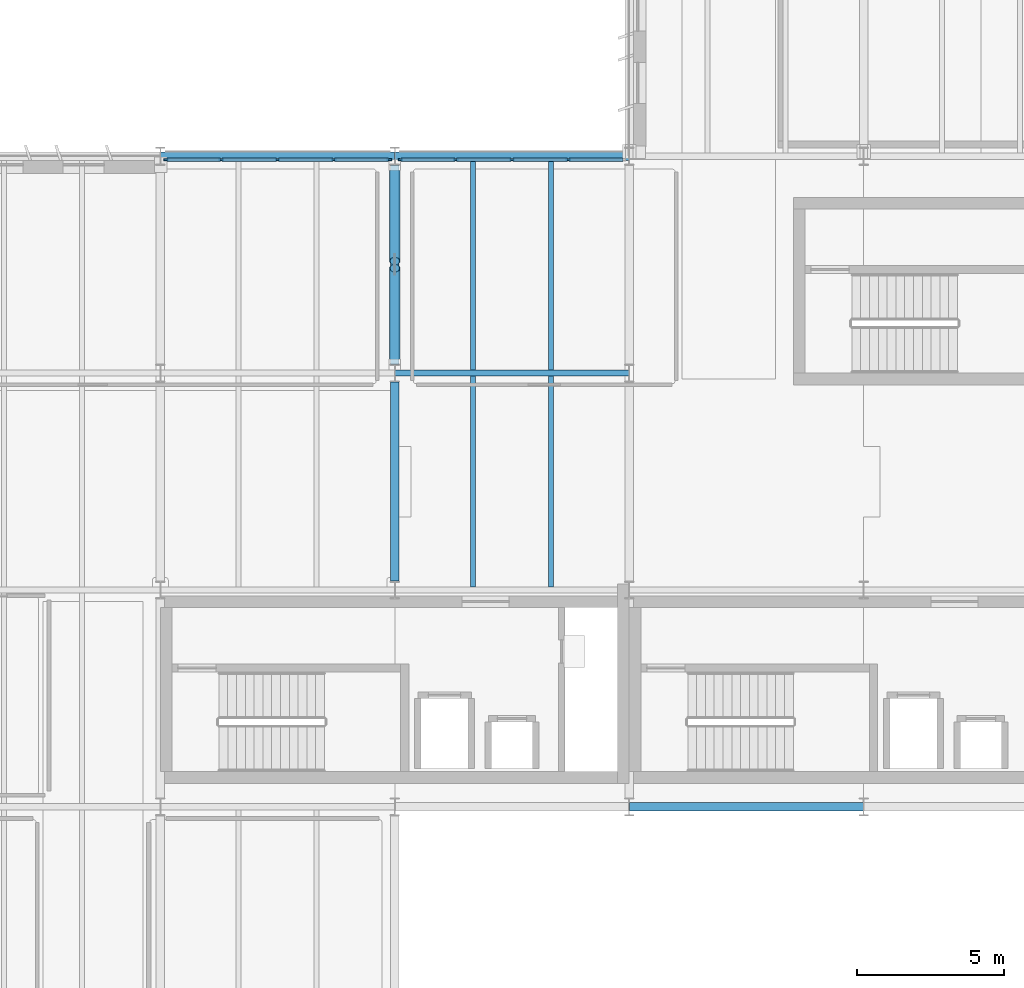
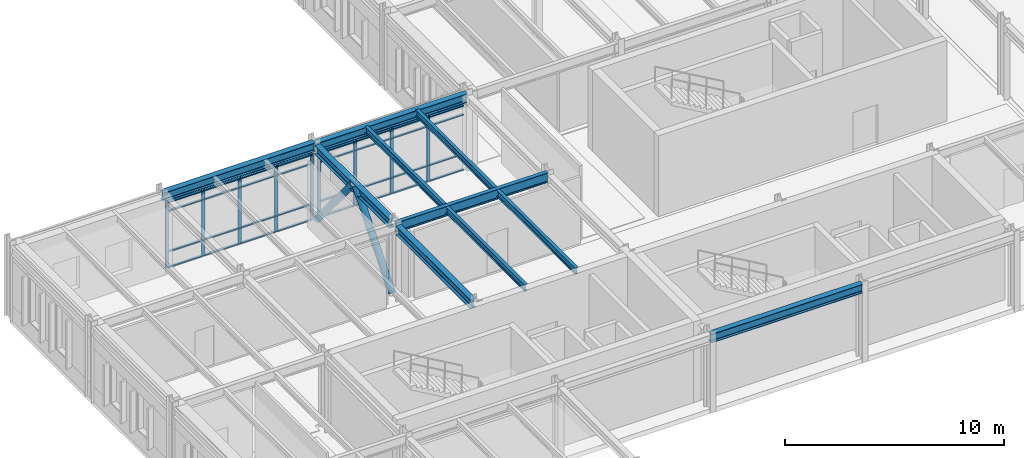
# One storey, part 17 of 75: 43 members, 10 beams, 2 elements without a shape of their own.
"""IFC4 building model written with IfcOpenShell, lengths in metres."""

from ifc_helpers import new_model, si_unit, direction, frame, origin, origin_2d, place, context, subcontext, project, spatial, rectangle, hollow_circle, i_section, extrude, material, layer, layer_set, material_profile, profile_set, type_object, element, aggregate, save


model = new_model("IFC4")

# Units and contexts
model_context = context("Model", 3, precision=1e-05, world=origin(), true_north=direction((0.0, 1.0)))
body_context = subcontext(model_context, "Body", "Model", "MODEL_VIEW")
ifc_project = project(units=[si_unit("LENGTHUNIT", "METRE"), si_unit("AREAUNIT", "SQUARE_METRE"), si_unit("VOLUMEUNIT", "CUBIC_METRE"), si_unit("PLANEANGLEUNIT", "RADIAN"), si_unit("MASSUNIT", "GRAM", prefix="KILO")], contexts=[model_context])

# Site, building, storey
site_placement = place(None, origin())
site = spatial("IfcSite", under=ifc_project, at=site_placement, CompositionType="ELEMENT")
building_placement = place(site_placement, origin())
building = spatial("IfcBuilding", under=site, at=building_placement, Name="Valkorina Park Police Headquarters", CompositionType="ELEMENT")
storey_placement = place(building_placement, frame((0.0, 0.0, 5.39990234375)))
storey = spatial("IfcBuildingStorey", under=building, at=storey_placement, Name="L02", CompositionType="ELEMENT", Elevation=5.39990234375)

# Beams
ifc_material_1 = material(Name="Steel S355", Category="steel")
ifc_material_profile_1 = material_profile(ifc_material_1, i_section(OverallWidth=0.300048828125, OverallDepth=0.489990234375, WebThickness=0.011962890625, FlangeThickness=0.02294921875, FilletRadius=0.027099609375, at=origin_2d()), Name="HEA 500")
ifc_profile_set_1 = profile_set([ifc_material_profile_1], Name="Steel S355")
beam_type_1 = type_object("IfcBeamType", Name="BM-S355-HEA500-BM", PredefinedType="BEAM", material=ifc_profile_set_1)
beam_1_placement = place(storey_placement, frame((24.800048828125, 44.699951171875, 3.9951171875), z_axis=(0.0, 1.0, 0.0), x_axis=(-1.0, 0.0, 0.0)))
element("IfcBeam", 1, at=beam_1_placement, inside=storey, type_object=beam_type_1, Name="L02 Framing Beam 1527", PredefinedType="BEAM", context=body_context, shape_type="SweptSolid", body=[
    extrude(i_section(OverallWidth=0.300048828125, OverallDepth=0.489990234375, WebThickness=0.011962890625, FlangeThickness=0.02294921875, FilletRadius=0.027099609375, at=origin_2d()), origin(), (0.0, 0.0, 1.0), 6.800048828125),
])
beam_2_placement = place(storey_placement, frame((24.800048828125, 52.10009765625, 3.9951171875), z_axis=(0.0, 1.0, 0.0), x_axis=(-1.0, 0.0, 0.0)))
element("IfcBeam", 2, at=beam_2_placement, inside=storey, type_object=beam_type_1, Name="L02 Framing Beam 1530", PredefinedType="BEAM", context=body_context, shape_type="SweptSolid", body=[
    extrude(i_section(OverallWidth=0.300048828125, OverallDepth=0.489990234375, WebThickness=0.011962890625, FlangeThickness=0.02294921875, FilletRadius=0.027099609375, at=origin_2d()), origin(), (0.0, 0.0, 1.0), 6.7998046875),
])
ifc_material_profile_2 = material_profile(ifc_material_1, i_section(OverallWidth=0.300048828125, OverallDepth=0.489990234375, WebThickness=0.011962890625, FlangeThickness=0.02294921875, FilletRadius=0.027099609375, at=origin_2d()), Name="HEA 500")
ifc_profile_set_2 = profile_set([ifc_material_profile_2], Name="Steel S355")
beam_type_2 = type_object("IfcBeamType", Name="BM-S355-HEA500-SPN", PredefinedType="SPANDREL", material=ifc_profile_set_2)
for number, where, z_axis, x_axis, name in (
    (3, (32.8076171875, 37.0, 3.9951171875), (1.0, 0.0, 0.0), (0.0, 1.0, 0.0), "L02 Framing Beam 1316"),
    (4, (16.8076171875, 59.199951171875, 3.9951171875), (1.0, 0.0, 0.0), (0.0, 1.0, 0.0), "L02 Framing Beam 1341"),
    (5, (24.8076171875, 59.199951171875, 3.925048828125), (1.0, 0.0, 0.0), (0.0, 1.0, 0.0), "L02 Framing Beam 1342"),
):
    element("IfcBeam", number, at=place(storey_placement, frame(where, z_axis=z_axis, x_axis=x_axis)), inside=storey, type_object=beam_type_2, Name=name, PredefinedType="SPANDREL", context=body_context, shape_type="SweptSolid", body=[
        extrude(i_section(OverallWidth=0.300048828125, OverallDepth=0.489990234375, WebThickness=0.011962890625, FlangeThickness=0.02294921875, FilletRadius=0.027099609375, at=origin_2d()), origin(), (0.0, 0.0, 1.0), 7.984619140625),
    ])
ifc_material_profile_3 = material_profile(ifc_material_1, i_section(OverallWidth=0.169921875, OverallDepth=0.360107421875, WebThickness=0.008056640625, FlangeThickness=0.0126953125, FilletRadius=0.01806640625, at=origin_2d()), Name="IPE 360")
ifc_profile_set_3 = profile_set([ifc_material_profile_3], Name="Steel S355")
beam_type_3 = type_object("IfcBeamType", Name="BM-S355-IPE360-JST", PredefinedType="JOIST", material=ifc_profile_set_3)
for number, where, z_axis, x_axis, name in (
    (6, (27.466796875, 44.5048828125, 4.06005859375), (0.0, 1.0, 0.0), (-1.0, 0.0, 0.0), "L02 Framing Beam 1528"),
    (7, (30.13330078125, 44.5048828125, 4.06005859375), (0.0, 1.0, 0.0), (-1.0, 0.0, 0.0), "L02 Framing Beam 1529"),
):
    element("IfcBeam", number, at=place(storey_placement, frame(where, z_axis=z_axis, x_axis=x_axis)), inside=storey, type_object=beam_type_3, Name=name, PredefinedType="JOIST", context=body_context, shape_type="SweptSolid", body=[
        extrude(i_section(OverallWidth=0.169921875, OverallDepth=0.360107421875, WebThickness=0.008056640625, FlangeThickness=0.0126953125, FilletRadius=0.01806640625, at=origin_2d()), origin(), (0.0, 0.0, 1.0), 7.190185546875),
    ])
for number, where, z_axis, x_axis, name in (
    (8, (27.466796875, 51.905029296875, 4.06005859375), (0.0, 1.0, 0.0), (-1.0, 0.0, 0.0), "L02 Framing Beam 1531"),
    (9, (30.13330078125, 51.905029296875, 4.06005859375), (0.0, 1.0, 0.0), (-1.0, 0.0, 0.0), "L02 Framing Beam 1532"),
):
    element("IfcBeam", number, at=place(storey_placement, frame(where, z_axis=z_axis, x_axis=x_axis)), inside=storey, type_object=beam_type_3, Name=name, PredefinedType="JOIST", context=body_context, shape_type="SweptSolid", body=[
        extrude(i_section(OverallWidth=0.169921875, OverallDepth=0.360107421875, WebThickness=0.008056640625, FlangeThickness=0.0126953125, FilletRadius=0.01806640625, at=origin_2d()), origin(), (0.0, 0.0, 1.0), 7.14501953125),
    ])
ifc_material_profile_4 = material_profile(ifc_material_1, i_section(OverallWidth=0.2099609375, OverallDepth=0.550048828125, WebThickness=0.010986328125, FlangeThickness=0.01708984375, FilletRadius=0.02392578125, at=origin_2d()), Name="IPE 550")
ifc_profile_set_4 = profile_set([ifc_material_profile_4], Name="Steel S355")
beam_type_4 = type_object("IfcBeamType", Name="BM-S355-IPE550-BM", PredefinedType="BEAM", material=ifc_profile_set_4)
beam_3_placement = place(storey_placement, frame((24.8076171875, 51.800048828125, 3.965087890625), z_axis=(1.0, 0.0, 0.0), x_axis=(0.0, 1.0, 0.0)))
element("IfcBeam", 10, at=beam_3_placement, inside=storey, type_object=beam_type_4, Name="L02 Framing Beam 1336", PredefinedType="BEAM", context=body_context, shape_type="SweptSolid", body=[
    extrude(i_section(OverallWidth=0.2099609375, OverallDepth=0.550048828125, WebThickness=0.010986328125, FlangeThickness=0.01708984375, FilletRadius=0.02392578125, at=origin_2d()), origin(), (0.0, 0.0, 1.0), 7.984619140625),
])

# Curtain wall, members
ifc_material_2 = material(Name="Thermally broken aluminium AW-6060", Category="aluminium")
ifc_layer_1 = layer(ifc_material_2, 0.18994140625)
ifc_layer_set_1 = layer_set([ifc_layer_1], Name="Thermally broken aluminium AW-6060")
curtain_wall_type_1 = type_object("IfcCurtainWallType", Name="CW-COURT-7680x3670", PredefinedType="NOTDEFINED", material=ifc_layer_set_1)
curtain_wall_1_placement = place(storey_placement, origin())
curtain_wall_1 = element("IfcCurtainWall", 11, at=curtain_wall_1_placement, inside=storey, type_object=curtain_wall_type_1, Name="L02 Unitised Curtain Wall 007", PredefinedType="NOTDEFINED")
ifc_material_profile_5 = material_profile(ifc_material_2, rectangle(XDim=0.06005859375, YDim=0.159912109375, at=origin_2d()), Name="CWM-01 60x160")
ifc_profile_set_5 = profile_set([ifc_material_profile_5], Name="Thermally broken aluminium AW-6060")
member_type_1 = type_object("IfcMemberType", Name="CWM-60x160", PredefinedType="MULLION", material=ifc_profile_set_5)
member_1_placement = place(storey_placement, frame((16.989990234375, 59.080078125, 0.0), z_axis=(0.0, 0.0, 1.0), x_axis=(0.0, 1.0, 0.0)))
member_1 = element("IfcMember", 12, at=member_1_placement, type_object=member_type_1, Name="CW-COURT-768-367 mullion 1", PredefinedType="MULLION", context=body_context, shape_type="SweptSolid", body=[
    extrude(rectangle(XDim=0.06005859375, YDim=0.159912109375, at=origin_2d()), origin(), (0.0, 0.0, 1.0), 3.670166015625),
])
member_2_placement = place(storey_placement, frame((18.8798828125, 59.080078125, 0.0), z_axis=(0.0, 0.0, 1.0), x_axis=(0.0, 1.0, 0.0)))
member_2 = element("IfcMember", 13, at=member_2_placement, type_object=member_type_1, Name="CW-COURT-768-367 mullion 2", PredefinedType="MULLION", context=body_context, shape_type="SweptSolid", body=[
    extrude(rectangle(XDim=0.06005859375, YDim=0.159912109375, at=origin_2d()), origin(), (0.0, 0.0, 1.0), 3.670166015625),
])
member_3_placement = place(storey_placement, frame((20.800048828125, 59.080078125, 0.0), z_axis=(0.0, 0.0, 1.0), x_axis=(0.0, 1.0, 0.0)))
member_3 = element("IfcMember", 14, at=member_3_placement, type_object=member_type_1, Name="CW-COURT-768-367 mullion 3", PredefinedType="MULLION", context=body_context, shape_type="SweptSolid", body=[
    extrude(rectangle(XDim=0.06005859375, YDim=0.159912109375, at=origin_2d()), origin(), (0.0, 0.0, 1.0), 3.670166015625),
])
member_4_placement = place(storey_placement, frame((22.719970703125, 59.080078125, 0.0), z_axis=(0.0, 0.0, 1.0), x_axis=(0.0, 1.0, 0.0)))
member_4 = element("IfcMember", 15, at=member_4_placement, type_object=member_type_1, Name="CW-COURT-768-367 mullion 4", PredefinedType="MULLION", context=body_context, shape_type="SweptSolid", body=[
    extrude(rectangle(XDim=0.06005859375, YDim=0.159912109375, at=origin_2d()), origin(), (0.0, 0.0, 1.0), 3.670166015625),
])
member_5_placement = place(storey_placement, frame((24.610107421875, 59.080078125, 0.0), z_axis=(0.0, 0.0, 1.0), x_axis=(0.0, 1.0, 0.0)))
member_5 = element("IfcMember", 16, at=member_5_placement, type_object=member_type_1, Name="CW-COURT-768-367 mullion 5", PredefinedType="MULLION", context=body_context, shape_type="SweptSolid", body=[
    extrude(rectangle(XDim=0.06005859375, YDim=0.159912109375, at=origin_2d()), origin(), (0.0, 0.0, 1.0), 3.670166015625),
])

ifc_layer_2 = layer(ifc_material_2, 0.18994140625)
ifc_layer_set_2 = layer_set([ifc_layer_2], Name="Thermally broken aluminium AW-6060")
curtain_wall_type_2 = type_object("IfcCurtainWallType", Name="CW-COURT-7680x3610", PredefinedType="NOTDEFINED", material=ifc_layer_set_2)
curtain_wall_2_placement = place(storey_placement, origin())
curtain_wall_2 = element("IfcCurtainWall", 17, at=curtain_wall_2_placement, inside=storey, type_object=curtain_wall_type_2, Name="L02 Unitised Curtain Wall 008", PredefinedType="NOTDEFINED")
member_6_placement = place(storey_placement, frame((24.989990234375, 59.080078125, 0.0), z_axis=(0.0, 0.0, 1.0), x_axis=(0.0, 1.0, 0.0)))
member_6 = element("IfcMember", 18, at=member_6_placement, type_object=member_type_1, Name="CW-COURT-768-361 mullion 1", PredefinedType="MULLION", context=body_context, shape_type="SweptSolid", body=[
    extrude(rectangle(XDim=0.06005859375, YDim=0.159912109375, at=origin_2d()), origin(), (0.0, 0.0, 1.0), 3.610107421875),
])
member_7_placement = place(storey_placement, frame((26.8798828125, 59.080078125, 0.0), z_axis=(0.0, 0.0, 1.0), x_axis=(0.0, 1.0, 0.0)))
member_7 = element("IfcMember", 19, at=member_7_placement, type_object=member_type_1, Name="CW-COURT-768-361 mullion 2", PredefinedType="MULLION", context=body_context, shape_type="SweptSolid", body=[
    extrude(rectangle(XDim=0.06005859375, YDim=0.159912109375, at=origin_2d()), origin(), (0.0, 0.0, 1.0), 3.610107421875),
])
member_8_placement = place(storey_placement, frame((28.800048828125, 59.080078125, 0.0), z_axis=(0.0, 0.0, 1.0), x_axis=(0.0, 1.0, 0.0)))
member_8 = element("IfcMember", 20, at=member_8_placement, type_object=member_type_1, Name="CW-COURT-768-361 mullion 3", PredefinedType="MULLION", context=body_context, shape_type="SweptSolid", body=[
    extrude(rectangle(XDim=0.06005859375, YDim=0.159912109375, at=origin_2d()), origin(), (0.0, 0.0, 1.0), 3.610107421875),
])
member_9_placement = place(storey_placement, frame((30.719970703125, 59.080078125, 0.0), z_axis=(0.0, 0.0, 1.0), x_axis=(0.0, 1.0, 0.0)))
member_9 = element("IfcMember", 21, at=member_9_placement, type_object=member_type_1, Name="CW-COURT-768-361 mullion 4", PredefinedType="MULLION", context=body_context, shape_type="SweptSolid", body=[
    extrude(rectangle(XDim=0.06005859375, YDim=0.159912109375, at=origin_2d()), origin(), (0.0, 0.0, 1.0), 3.610107421875),
])

# Member
ifc_material_profile_6 = material_profile(ifc_material_2, rectangle(XDim=0.1201171875, YDim=0.06005859375, at=origin_2d()), Name="CWT-01 120x60")
ifc_profile_set_6 = profile_set([ifc_material_profile_6], Name="Thermally broken aluminium AW-6060")
member_type_2 = type_object("IfcMemberType", Name="CWT-120x60", PredefinedType="USERDEFINED", material=ifc_profile_set_6)
member_10_placement = place(storey_placement, frame((17.02001953125, 59.080078125, 0.030029296875), z_axis=(1.0, 0.0, 0.0), x_axis=(0.0, 1.0, 0.0)))
member_10 = element("IfcMember", 22, at=member_10_placement, type_object=member_type_2, Name="CW-COURT-768-367 transom 1.1", ObjectType="TRANSOM", PredefinedType="USERDEFINED", context=body_context, shape_type="SweptSolid", body=[
    extrude(rectangle(XDim=0.1201171875, YDim=0.06005859375, at=origin_2d()), origin(), (0.0, 0.0, 1.0), 1.830078125),
])

member_11_placement = place(storey_placement, frame((17.02001953125, 59.080078125, 0.900146484375), z_axis=(1.0, 0.0, 0.0), x_axis=(0.0, 1.0, 0.0)))
member_11 = element("IfcMember", 23, at=member_11_placement, type_object=member_type_2, Name="CW-COURT-768-367 transom 1.2", ObjectType="TRANSOM", PredefinedType="USERDEFINED", context=body_context, shape_type="SweptSolid", body=[
    extrude(rectangle(XDim=0.1201171875, YDim=0.06005859375, at=origin_2d()), origin(), (0.0, 0.0, 1.0), 1.830078125),
])

member_12_placement = place(storey_placement, frame((17.02001953125, 59.080078125, 3.150146484375), z_axis=(1.0, 0.0, 0.0), x_axis=(0.0, 1.0, 0.0)))
member_12 = element("IfcMember", 24, at=member_12_placement, type_object=member_type_2, Name="CW-COURT-768-367 transom 1.3", ObjectType="TRANSOM", PredefinedType="USERDEFINED", context=body_context, shape_type="SweptSolid", body=[
    extrude(rectangle(XDim=0.1201171875, YDim=0.06005859375, at=origin_2d()), origin(), (0.0, 0.0, 1.0), 1.830078125),
])

member_13_placement = place(storey_placement, frame((17.02001953125, 59.080078125, 3.64013671875), z_axis=(1.0, 0.0, 0.0), x_axis=(0.0, 1.0, 0.0)))
member_13 = element("IfcMember", 25, at=member_13_placement, type_object=member_type_2, Name="CW-COURT-768-367 transom 1.4", ObjectType="TRANSOM", PredefinedType="USERDEFINED", context=body_context, shape_type="SweptSolid", body=[
    extrude(rectangle(XDim=0.1201171875, YDim=0.06005859375, at=origin_2d()), origin(), (0.0, 0.0, 1.0), 1.830078125),
])

member_14_placement = place(storey_placement, frame((18.909912109375, 59.080078125, 0.030029296875), z_axis=(1.0, 0.0, 0.0), x_axis=(0.0, 1.0, 0.0)))
member_14 = element("IfcMember", 26, at=member_14_placement, type_object=member_type_2, Name="CW-COURT-768-367 transom 2.1", ObjectType="TRANSOM", PredefinedType="USERDEFINED", context=body_context, shape_type="SweptSolid", body=[
    extrude(rectangle(XDim=0.1201171875, YDim=0.06005859375, at=origin_2d()), origin(), (0.0, 0.0, 1.0), 1.860107421875),
])

member_15_placement = place(storey_placement, frame((18.909912109375, 59.080078125, 0.900146484375), z_axis=(1.0, 0.0, 0.0), x_axis=(0.0, 1.0, 0.0)))
member_15 = element("IfcMember", 27, at=member_15_placement, type_object=member_type_2, Name="CW-COURT-768-367 transom 2.2", ObjectType="TRANSOM", PredefinedType="USERDEFINED", context=body_context, shape_type="SweptSolid", body=[
    extrude(rectangle(XDim=0.1201171875, YDim=0.06005859375, at=origin_2d()), origin(), (0.0, 0.0, 1.0), 1.860107421875),
])

member_16_placement = place(storey_placement, frame((18.909912109375, 59.080078125, 3.150146484375), z_axis=(1.0, 0.0, 0.0), x_axis=(0.0, 1.0, 0.0)))
member_16 = element("IfcMember", 28, at=member_16_placement, type_object=member_type_2, Name="CW-COURT-768-367 transom 2.3", ObjectType="TRANSOM", PredefinedType="USERDEFINED", context=body_context, shape_type="SweptSolid", body=[
    extrude(rectangle(XDim=0.1201171875, YDim=0.06005859375, at=origin_2d()), origin(), (0.0, 0.0, 1.0), 1.860107421875),
])

member_17_placement = place(storey_placement, frame((18.909912109375, 59.080078125, 3.64013671875), z_axis=(1.0, 0.0, 0.0), x_axis=(0.0, 1.0, 0.0)))
member_17 = element("IfcMember", 29, at=member_17_placement, type_object=member_type_2, Name="CW-COURT-768-367 transom 2.4", ObjectType="TRANSOM", PredefinedType="USERDEFINED", context=body_context, shape_type="SweptSolid", body=[
    extrude(rectangle(XDim=0.1201171875, YDim=0.06005859375, at=origin_2d()), origin(), (0.0, 0.0, 1.0), 1.860107421875),
])

member_18_placement = place(storey_placement, frame((20.830078125, 59.080078125, 0.030029296875), z_axis=(1.0, 0.0, 0.0), x_axis=(0.0, 1.0, 0.0)))
member_18 = element("IfcMember", 30, at=member_18_placement, type_object=member_type_2, Name="CW-COURT-768-367 transom 3.1", ObjectType="TRANSOM", PredefinedType="USERDEFINED", context=body_context, shape_type="SweptSolid", body=[
    extrude(rectangle(XDim=0.1201171875, YDim=0.06005859375, at=origin_2d()), origin(), (0.0, 0.0, 1.0), 1.85986328125),
])

member_19_placement = place(storey_placement, frame((20.830078125, 59.080078125, 0.900146484375), z_axis=(1.0, 0.0, 0.0), x_axis=(0.0, 1.0, 0.0)))
member_19 = element("IfcMember", 31, at=member_19_placement, type_object=member_type_2, Name="CW-COURT-768-367 transom 3.2", ObjectType="TRANSOM", PredefinedType="USERDEFINED", context=body_context, shape_type="SweptSolid", body=[
    extrude(rectangle(XDim=0.1201171875, YDim=0.06005859375, at=origin_2d()), origin(), (0.0, 0.0, 1.0), 1.85986328125),
])

member_20_placement = place(storey_placement, frame((20.830078125, 59.080078125, 3.150146484375), z_axis=(1.0, 0.0, 0.0), x_axis=(0.0, 1.0, 0.0)))
member_20 = element("IfcMember", 32, at=member_20_placement, type_object=member_type_2, Name="CW-COURT-768-367 transom 3.3", ObjectType="TRANSOM", PredefinedType="USERDEFINED", context=body_context, shape_type="SweptSolid", body=[
    extrude(rectangle(XDim=0.1201171875, YDim=0.06005859375, at=origin_2d()), origin(), (0.0, 0.0, 1.0), 1.85986328125),
])

member_21_placement = place(storey_placement, frame((20.830078125, 59.080078125, 3.64013671875), z_axis=(1.0, 0.0, 0.0), x_axis=(0.0, 1.0, 0.0)))
member_21 = element("IfcMember", 33, at=member_21_placement, type_object=member_type_2, Name="CW-COURT-768-367 transom 3.4", ObjectType="TRANSOM", PredefinedType="USERDEFINED", context=body_context, shape_type="SweptSolid", body=[
    extrude(rectangle(XDim=0.1201171875, YDim=0.06005859375, at=origin_2d()), origin(), (0.0, 0.0, 1.0), 1.85986328125),
])

member_22_placement = place(storey_placement, frame((22.75, 59.080078125, 0.030029296875), z_axis=(1.0, 0.0, 0.0), x_axis=(0.0, 1.0, 0.0)))
member_22 = element("IfcMember", 34, at=member_22_placement, type_object=member_type_2, Name="CW-COURT-768-367 transom 4.1", ObjectType="TRANSOM", PredefinedType="USERDEFINED", context=body_context, shape_type="SweptSolid", body=[
    extrude(rectangle(XDim=0.1201171875, YDim=0.06005859375, at=origin_2d()), origin(), (0.0, 0.0, 1.0), 1.830078125),
])

member_23_placement = place(storey_placement, frame((22.75, 59.080078125, 0.900146484375), z_axis=(1.0, 0.0, 0.0), x_axis=(0.0, 1.0, 0.0)))
member_23 = element("IfcMember", 35, at=member_23_placement, type_object=member_type_2, Name="CW-COURT-768-367 transom 4.2", ObjectType="TRANSOM", PredefinedType="USERDEFINED", context=body_context, shape_type="SweptSolid", body=[
    extrude(rectangle(XDim=0.1201171875, YDim=0.06005859375, at=origin_2d()), origin(), (0.0, 0.0, 1.0), 1.830078125),
])

member_24_placement = place(storey_placement, frame((22.75, 59.080078125, 3.150146484375), z_axis=(1.0, 0.0, 0.0), x_axis=(0.0, 1.0, 0.0)))
member_24 = element("IfcMember", 36, at=member_24_placement, type_object=member_type_2, Name="CW-COURT-768-367 transom 4.3", ObjectType="TRANSOM", PredefinedType="USERDEFINED", context=body_context, shape_type="SweptSolid", body=[
    extrude(rectangle(XDim=0.1201171875, YDim=0.06005859375, at=origin_2d()), origin(), (0.0, 0.0, 1.0), 1.830078125),
])

member_25_placement = place(storey_placement, frame((22.75, 59.080078125, 3.64013671875), z_axis=(1.0, 0.0, 0.0), x_axis=(0.0, 1.0, 0.0)))
member_25 = element("IfcMember", 37, at=member_25_placement, type_object=member_type_2, Name="CW-COURT-768-367 transom 4.4", ObjectType="TRANSOM", PredefinedType="USERDEFINED", context=body_context, shape_type="SweptSolid", body=[
    extrude(rectangle(XDim=0.1201171875, YDim=0.06005859375, at=origin_2d()), origin(), (0.0, 0.0, 1.0), 1.830078125),
])

aggregate(curtain_wall_1, [member_1, member_2, member_3, member_4, member_5, member_10, member_11, member_12, member_13, member_14, member_15, member_16, member_17, member_18, member_19, member_20, member_21, member_22, member_23, member_24, member_25])

member_26_placement = place(storey_placement, frame((25.02001953125, 59.080078125, 0.030029296875), z_axis=(1.0, 0.0, 0.0), x_axis=(0.0, 1.0, 0.0)))
member_26 = element("IfcMember", 38, at=member_26_placement, type_object=member_type_2, Name="CW-COURT-768-361 transom 1.1", ObjectType="TRANSOM", PredefinedType="USERDEFINED", context=body_context, shape_type="SweptSolid", body=[
    extrude(rectangle(XDim=0.1201171875, YDim=0.06005859375, at=origin_2d()), origin(), (0.0, 0.0, 1.0), 1.830078125),
])

member_27_placement = place(storey_placement, frame((25.02001953125, 59.080078125, 0.900146484375), z_axis=(1.0, 0.0, 0.0), x_axis=(0.0, 1.0, 0.0)))
member_27 = element("IfcMember", 39, at=member_27_placement, type_object=member_type_2, Name="CW-COURT-768-361 transom 1.2", ObjectType="TRANSOM", PredefinedType="USERDEFINED", context=body_context, shape_type="SweptSolid", body=[
    extrude(rectangle(XDim=0.1201171875, YDim=0.06005859375, at=origin_2d()), origin(), (0.0, 0.0, 1.0), 1.830078125),
])

member_28_placement = place(storey_placement, frame((25.02001953125, 59.080078125, 3.090087890625), z_axis=(1.0, 0.0, 0.0), x_axis=(0.0, 1.0, 0.0)))
member_28 = element("IfcMember", 40, at=member_28_placement, type_object=member_type_2, Name="CW-COURT-768-361 transom 1.3", ObjectType="TRANSOM", PredefinedType="USERDEFINED", context=body_context, shape_type="SweptSolid", body=[
    extrude(rectangle(XDim=0.1201171875, YDim=0.06005859375, at=origin_2d()), origin(), (0.0, 0.0, 1.0), 1.830078125),
])

member_29_placement = place(storey_placement, frame((25.02001953125, 59.080078125, 3.580078125), z_axis=(1.0, 0.0, 0.0), x_axis=(0.0, 1.0, 0.0)))
member_29 = element("IfcMember", 41, at=member_29_placement, type_object=member_type_2, Name="CW-COURT-768-361 transom 1.4", ObjectType="TRANSOM", PredefinedType="USERDEFINED", context=body_context, shape_type="SweptSolid", body=[
    extrude(rectangle(XDim=0.1201171875, YDim=0.06005859375, at=origin_2d()), origin(), (0.0, 0.0, 1.0), 1.830078125),
])

member_30_placement = place(storey_placement, frame((26.909912109375, 59.080078125, 0.030029296875), z_axis=(1.0, 0.0, 0.0), x_axis=(0.0, 1.0, 0.0)))
member_30 = element("IfcMember", 42, at=member_30_placement, type_object=member_type_2, Name="CW-COURT-768-361 transom 2.1", ObjectType="TRANSOM", PredefinedType="USERDEFINED", context=body_context, shape_type="SweptSolid", body=[
    extrude(rectangle(XDim=0.1201171875, YDim=0.06005859375, at=origin_2d()), origin(), (0.0, 0.0, 1.0), 1.860107421875),
])

member_31_placement = place(storey_placement, frame((26.909912109375, 59.080078125, 0.900146484375), z_axis=(1.0, 0.0, 0.0), x_axis=(0.0, 1.0, 0.0)))
member_31 = element("IfcMember", 43, at=member_31_placement, type_object=member_type_2, Name="CW-COURT-768-361 transom 2.2", ObjectType="TRANSOM", PredefinedType="USERDEFINED", context=body_context, shape_type="SweptSolid", body=[
    extrude(rectangle(XDim=0.1201171875, YDim=0.06005859375, at=origin_2d()), origin(), (0.0, 0.0, 1.0), 1.860107421875),
])

member_32_placement = place(storey_placement, frame((26.909912109375, 59.080078125, 3.090087890625), z_axis=(1.0, 0.0, 0.0), x_axis=(0.0, 1.0, 0.0)))
member_32 = element("IfcMember", 44, at=member_32_placement, type_object=member_type_2, Name="CW-COURT-768-361 transom 2.3", ObjectType="TRANSOM", PredefinedType="USERDEFINED", context=body_context, shape_type="SweptSolid", body=[
    extrude(rectangle(XDim=0.1201171875, YDim=0.06005859375, at=origin_2d()), origin(), (0.0, 0.0, 1.0), 1.860107421875),
])

member_33_placement = place(storey_placement, frame((26.909912109375, 59.080078125, 3.580078125), z_axis=(1.0, 0.0, 0.0), x_axis=(0.0, 1.0, 0.0)))
member_33 = element("IfcMember", 45, at=member_33_placement, type_object=member_type_2, Name="CW-COURT-768-361 transom 2.4", ObjectType="TRANSOM", PredefinedType="USERDEFINED", context=body_context, shape_type="SweptSolid", body=[
    extrude(rectangle(XDim=0.1201171875, YDim=0.06005859375, at=origin_2d()), origin(), (0.0, 0.0, 1.0), 1.860107421875),
])

member_34_placement = place(storey_placement, frame((28.830078125, 59.080078125, 0.030029296875), z_axis=(1.0, 0.0, 0.0), x_axis=(0.0, 1.0, 0.0)))
member_34 = element("IfcMember", 46, at=member_34_placement, type_object=member_type_2, Name="CW-COURT-768-361 transom 3.1", ObjectType="TRANSOM", PredefinedType="USERDEFINED", context=body_context, shape_type="SweptSolid", body=[
    extrude(rectangle(XDim=0.1201171875, YDim=0.06005859375, at=origin_2d()), origin(), (0.0, 0.0, 1.0), 1.85986328125),
])

member_35_placement = place(storey_placement, frame((28.830078125, 59.080078125, 0.900146484375), z_axis=(1.0, 0.0, 0.0), x_axis=(0.0, 1.0, 0.0)))
member_35 = element("IfcMember", 47, at=member_35_placement, type_object=member_type_2, Name="CW-COURT-768-361 transom 3.2", ObjectType="TRANSOM", PredefinedType="USERDEFINED", context=body_context, shape_type="SweptSolid", body=[
    extrude(rectangle(XDim=0.1201171875, YDim=0.06005859375, at=origin_2d()), origin(), (0.0, 0.0, 1.0), 1.85986328125),
])

member_36_placement = place(storey_placement, frame((28.830078125, 59.080078125, 3.090087890625), z_axis=(1.0, 0.0, 0.0), x_axis=(0.0, 1.0, 0.0)))
member_36 = element("IfcMember", 48, at=member_36_placement, type_object=member_type_2, Name="CW-COURT-768-361 transom 3.3", ObjectType="TRANSOM", PredefinedType="USERDEFINED", context=body_context, shape_type="SweptSolid", body=[
    extrude(rectangle(XDim=0.1201171875, YDim=0.06005859375, at=origin_2d()), origin(), (0.0, 0.0, 1.0), 1.85986328125),
])

member_37_placement = place(storey_placement, frame((28.830078125, 59.080078125, 3.580078125), z_axis=(1.0, 0.0, 0.0), x_axis=(0.0, 1.0, 0.0)))
member_37 = element("IfcMember", 49, at=member_37_placement, type_object=member_type_2, Name="CW-COURT-768-361 transom 3.4", ObjectType="TRANSOM", PredefinedType="USERDEFINED", context=body_context, shape_type="SweptSolid", body=[
    extrude(rectangle(XDim=0.1201171875, YDim=0.06005859375, at=origin_2d()), origin(), (0.0, 0.0, 1.0), 1.85986328125),
])

member_38_placement = place(storey_placement, frame((30.75, 59.080078125, 0.030029296875), z_axis=(1.0, 0.0, 0.0), x_axis=(0.0, 1.0, 0.0)))
member_38 = element("IfcMember", 50, at=member_38_placement, type_object=member_type_2, Name="CW-COURT-768-361 transom 4.1", ObjectType="TRANSOM", PredefinedType="USERDEFINED", context=body_context, shape_type="SweptSolid", body=[
    extrude(rectangle(XDim=0.1201171875, YDim=0.06005859375, at=origin_2d()), origin(), (0.0, 0.0, 1.0), 1.830078125),
])

member_39_placement = place(storey_placement, frame((30.75, 59.080078125, 0.900146484375), z_axis=(1.0, 0.0, 0.0), x_axis=(0.0, 1.0, 0.0)))
member_39 = element("IfcMember", 51, at=member_39_placement, type_object=member_type_2, Name="CW-COURT-768-361 transom 4.2", ObjectType="TRANSOM", PredefinedType="USERDEFINED", context=body_context, shape_type="SweptSolid", body=[
    extrude(rectangle(XDim=0.1201171875, YDim=0.06005859375, at=origin_2d()), origin(), (0.0, 0.0, 1.0), 1.830078125),
])

member_40_placement = place(storey_placement, frame((30.75, 59.080078125, 3.090087890625), z_axis=(1.0, 0.0, 0.0), x_axis=(0.0, 1.0, 0.0)))
member_40 = element("IfcMember", 52, at=member_40_placement, type_object=member_type_2, Name="CW-COURT-768-361 transom 4.3", ObjectType="TRANSOM", PredefinedType="USERDEFINED", context=body_context, shape_type="SweptSolid", body=[
    extrude(rectangle(XDim=0.1201171875, YDim=0.06005859375, at=origin_2d()), origin(), (0.0, 0.0, 1.0), 1.830078125),
])

member_41_placement = place(storey_placement, frame((30.75, 59.080078125, 3.580078125), z_axis=(1.0, 0.0, 0.0), x_axis=(0.0, 1.0, 0.0)))
member_41 = element("IfcMember", 53, at=member_41_placement, type_object=member_type_2, Name="CW-COURT-768-361 transom 4.4", ObjectType="TRANSOM", PredefinedType="USERDEFINED", context=body_context, shape_type="SweptSolid", body=[
    extrude(rectangle(XDim=0.1201171875, YDim=0.06005859375, at=origin_2d()), origin(), (0.0, 0.0, 1.0), 1.830078125),
])

aggregate(curtain_wall_2, [member_6, member_7, member_8, member_9, member_26, member_27, member_28, member_29, member_30, member_31, member_32, member_33, member_34, member_35, member_36, member_37, member_38, member_39, member_40, member_41])

# Members
ifc_material_profile_7 = material_profile(ifc_material_1, hollow_circle(Radius=0.177734375, WallThickness=0.01611328125, at=origin_2d()), Name="CHS 355.6x16")
ifc_profile_set_7 = profile_set([ifc_material_profile_7], Name="Steel S355")
member_type_3 = type_object("IfcMemberType", Name="MB-S355-CHS355-BRC", PredefinedType="BRACE", material=ifc_profile_set_7)
for number, where, z_axis, x_axis, name in (
    (54, (24.800048828125, 52.10009765625, 0.10009765625), (0.0, 0.637865020017, 0.770148178105), (-1.0, 0.0, 0.0), "L02 Concentric Chevron Brace 005"),
    (55, (24.800048828125, 58.89990234375, 0.10009765625), (0.0, -0.637865020017, 0.770148178105), (1.0, 0.0, 0.0), "L02 Concentric Chevron Brace 006"),
):
    element("IfcMember", number, at=place(storey_placement, frame(where, z_axis=z_axis, x_axis=x_axis)), inside=storey, type_object=member_type_3, Name=name, PredefinedType="BRACE", context=body_context, shape_type="SweptSolid", body=[
        extrude(hollow_circle(Radius=0.177734375, WallThickness=0.01611328125, at=origin_2d()), origin(), (0.0, 0.0, 1.0), 5.141845703125),
    ])

save(model, "model.ifc")
